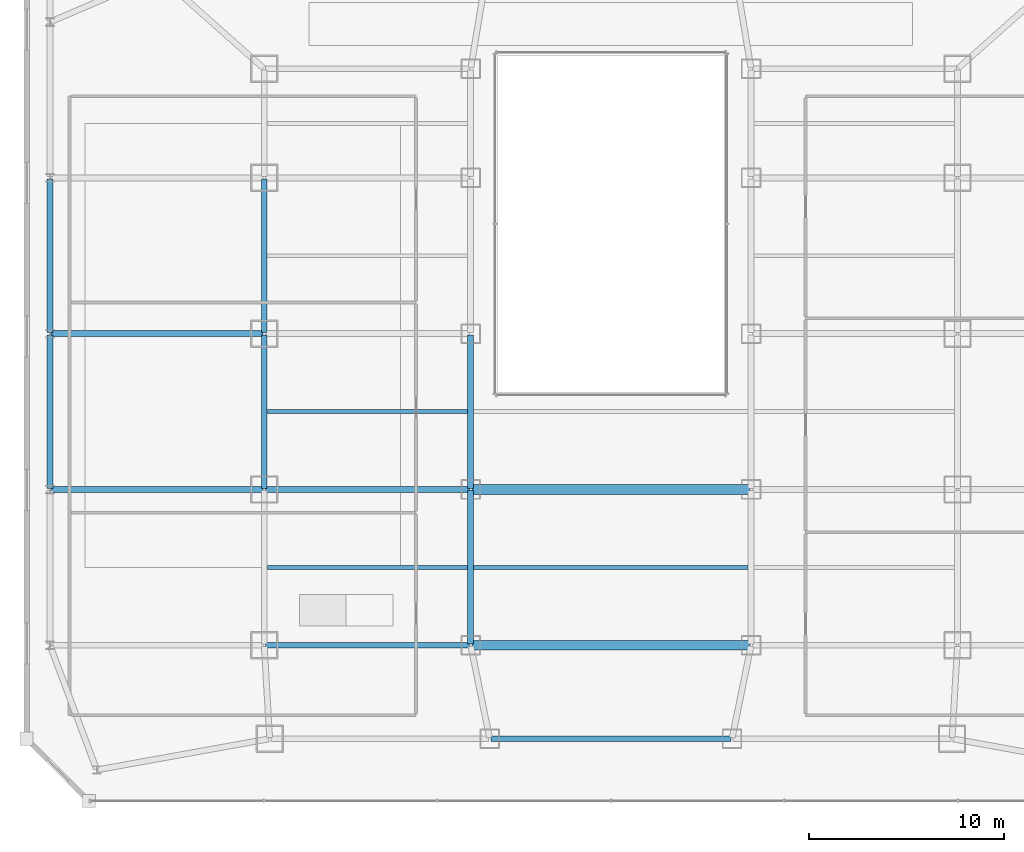
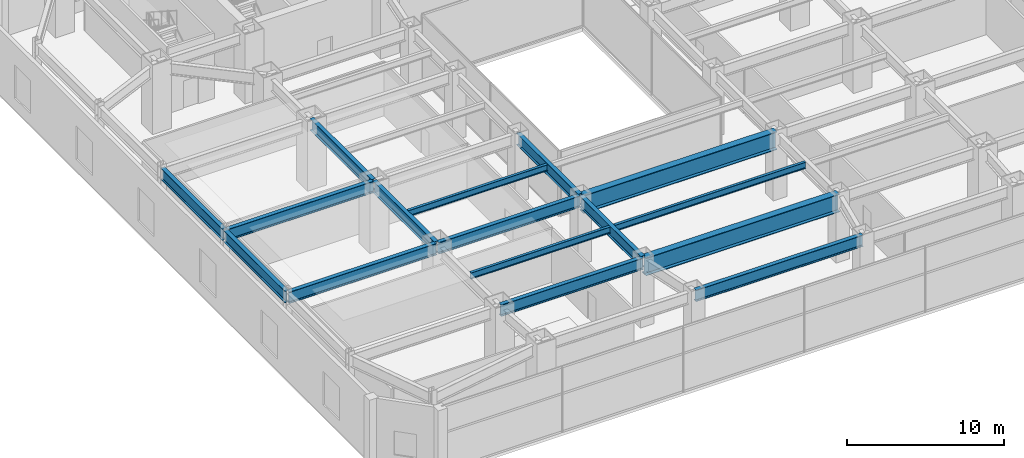
# One storey, part 11 of 52: 16 beams.
"""IFC4 building model written with IfcOpenShell, lengths in metres."""

from ifc_helpers import new_model, si_unit, direction, frame, origin, origin_2d, place, context, subcontext, project, spatial, i_section, extrude, material, material_profile, profile_set, type_object, element, save


model = new_model("IFC4")

# Units and contexts
model_context = context("Model", 3, precision=1e-05, world=origin(), true_north=direction((0.0, 1.0)))
body_context = subcontext(model_context, "Body", "Model", "MODEL_VIEW")
ifc_project = project(units=[si_unit("LENGTHUNIT", "METRE"), si_unit("AREAUNIT", "SQUARE_METRE"), si_unit("VOLUMEUNIT", "CUBIC_METRE"), si_unit("PLANEANGLEUNIT", "RADIAN"), si_unit("MASSUNIT", "GRAM", prefix="KILO")], contexts=[model_context])

# Site, building, storey
site_placement = place(None, origin())
site = spatial("IfcSite", under=ifc_project, at=site_placement, CompositionType="ELEMENT")
building_placement = place(site_placement, origin())
building = spatial("IfcBuilding", under=site, at=building_placement, Name="Saevonmaru Cultural Tower", CompositionType="ELEMENT")
storey_placement = place(building_placement, frame((0.0, 0.0, 16.800048828125)))
storey = spatial("IfcBuildingStorey", under=building, at=storey_placement, Name="L03", CompositionType="ELEMENT", Elevation=16.800048828125)

# Beams
ifc_material_1 = material(Name="Steel SM420", Category="steel")
ifc_material_profile_1 = material_profile(ifc_material_1, i_section(OverallWidth=0.300048828125, OverallDepth=0.89990234375, WebThickness=0.01611328125, FlangeThickness=0.028076171875, FilletRadius=0.028076171875, at=origin_2d()), Name="H-900x300x16x28")
ifc_profile_set_1 = profile_set([ifc_material_profile_1], Name="Steel SM420")
beam_type_1 = type_object("IfcBeamType", Name="BM-G-H900", PredefinedType="BEAM", material=ifc_profile_set_1)
for number, where, z_axis, x_axis, name in (
    (1, (12.199951171875, 16.06005859375, 4.64990234375), (0.0, 1.0, 0.0), (-1.0, 0.0, 0.0), "L03 Podium Girder NS1-3"),
    (2, (12.199951171875, 24.06005859375, 4.64990234375), (0.0, 1.0, 0.0), (-1.0, 0.0, 0.0), "L03 Podium Girder NS1-4"),
    (3, (22.800048828125, 8.06005859375, 4.64990234375), (0.0, 1.0, 0.0), (-1.0, 0.0, 0.0), "L03 Podium Girder NS2-2"),
    (4, (22.800048828125, 16.06005859375, 4.64990234375), (0.0, 1.0, 0.0), (-1.0, 0.0, 0.0), "L03 Podium Girder NS2-3"),
):
    element("IfcBeam", number, at=place(storey_placement, frame(where, z_axis=z_axis, x_axis=x_axis)), inside=storey, type_object=beam_type_1, Name=name, PredefinedType="BEAM", context=body_context, shape_type="SweptSolid", body=[
        extrude(i_section(OverallWidth=0.300048828125, OverallDepth=0.89990234375, WebThickness=0.01611328125, FlangeThickness=0.028076171875, FilletRadius=0.028076171875, at=origin_2d()), origin(), (0.0, 0.0, 1.0), 7.8798828125),
    ])
beam_1_placement = place(storey_placement, frame((23.840087890625, 3.199951171875, 4.64990234375), z_axis=(1.0, 0.0, 0.0), x_axis=(0.0, 1.0, 0.0)))
element("IfcBeam", 5, at=beam_1_placement, inside=storey, type_object=beam_type_1, Name="BM-POD-EW-C-0-L03", PredefinedType="BEAM", context=body_context, shape_type="SweptSolid", body=[
    extrude(i_section(OverallWidth=0.300048828125, OverallDepth=0.89990234375, WebThickness=0.01611328125, FlangeThickness=0.028076171875, FilletRadius=0.028076171875, at=origin_2d()), origin(), (0.0, 0.0, 1.0), 12.31982421875),
])
for number, where, z_axis, x_axis, name in (
    (6, (12.260009765625, 8.0, 4.64990234375), (1.0, 0.0, 0.0), (0.0, 1.0, 0.0), "L03 Gallery Girder W-1"),
    (7, (12.260009765625, 16.0, 4.64990234375), (1.0, 0.0, 0.0), (0.0, 1.0, 0.0), "L03 Gallery Girder W-2"),
):
    element("IfcBeam", number, at=place(storey_placement, frame(where, z_axis=z_axis, x_axis=x_axis)), inside=storey, type_object=beam_type_1, Name=name, PredefinedType="BEAM", context=body_context, shape_type="SweptSolid", body=[
        extrude(i_section(OverallWidth=0.300048828125, OverallDepth=0.89990234375, WebThickness=0.01611328125, FlangeThickness=0.028076171875, FilletRadius=0.028076171875, at=origin_2d()), origin(), (0.0, 0.0, 1.0), 10.47998046875),
    ])
for number, where, z_axis, x_axis, name in (
    (8, (1.260009765625, 16.0, 4.64990234375), (1.0, 0.0, 0.0), (0.0, 1.0, 0.0), "BM-POD-OW-2-L03"),
    (9, (1.260009765625, 24.0, 4.64990234375), (1.0, 0.0, 0.0), (0.0, 1.0, 0.0), "BM-POD-OW-3-L03"),
):
    element("IfcBeam", number, at=place(storey_placement, frame(where, z_axis=z_axis, x_axis=x_axis)), inside=storey, type_object=beam_type_1, Name=name, PredefinedType="BEAM", context=body_context, shape_type="SweptSolid", body=[
        extrude(i_section(OverallWidth=0.300048828125, OverallDepth=0.89990234375, WebThickness=0.01611328125, FlangeThickness=0.028076171875, FilletRadius=0.028076171875, at=origin_2d()), origin(), (0.0, 0.0, 1.0), 10.8798828125),
    ])
for number, where, z_axis, x_axis, name in (
    (10, (1.199951171875, 16.06005859375, 4.64990234375), (0.0, 1.0, 0.0), (-1.0, 0.0, 0.0), "BM-POD-PW-2-L03"),
    (11, (1.199951171875, 24.06005859375, 4.64990234375), (0.0, 1.0, 0.0), (-1.0, 0.0, 0.0), "BM-POD-PW-3-L03"),
):
    element("IfcBeam", number, at=place(storey_placement, frame(where, z_axis=z_axis, x_axis=x_axis)), inside=storey, type_object=beam_type_1, Name=name, PredefinedType="BEAM", context=body_context, shape_type="SweptSolid", body=[
        extrude(i_section(OverallWidth=0.300048828125, OverallDepth=0.89990234375, WebThickness=0.01611328125, FlangeThickness=0.028076171875, FilletRadius=0.028076171875, at=origin_2d()), origin(), (0.0, 0.0, 1.0), 7.8798828125),
    ])
ifc_material_2 = material(Name="Steel SM355", Category="steel")
ifc_material_profile_2 = material_profile(ifc_material_2, i_section(OverallWidth=0.199951171875, OverallDepth=0.5, WebThickness=0.010009765625, FlangeThickness=0.01611328125, FilletRadius=0.02001953125, at=origin_2d()), Name="H-500x200x10x16")
ifc_profile_set_2 = profile_set([ifc_material_profile_2], Name="Steel SM355")
beam_type_2 = type_object("IfcBeamType", Name="BM-J-H500", PredefinedType="JOIST", material=ifc_profile_set_2)
beam_2_placement = place(storey_placement, frame((12.35791015625, 12.0, 4.849853515625), z_axis=(1.0, 0.0, 0.0), x_axis=(0.0, 1.0, 0.0)))
element("IfcBeam", 12, at=beam_2_placement, inside=storey, type_object=beam_type_2, Name="L03 Secondary Floor Joist JW-1", PredefinedType="JOIST", context=body_context, shape_type="SweptSolid", body=[
    extrude(i_section(OverallWidth=0.199951171875, OverallDepth=0.5, WebThickness=0.010009765625, FlangeThickness=0.01611328125, FilletRadius=0.02001953125, at=origin_2d()), origin(), (0.0, 0.0, 1.0), 10.2841796875),
])
beam_3_placement = place(storey_placement, frame((22.9580078125, 12.0, 4.849853515625), z_axis=(1.0, 0.0, 0.0), x_axis=(0.0, 1.0, 0.0)))
element("IfcBeam", 13, at=beam_3_placement, inside=storey, type_object=beam_type_2, Name="L03 Secondary Floor Joist JC-1", PredefinedType="JOIST", context=body_context, shape_type="SweptSolid", body=[
    extrude(i_section(OverallWidth=0.199951171875, OverallDepth=0.5, WebThickness=0.010009765625, FlangeThickness=0.01611328125, FilletRadius=0.02001953125, at=origin_2d()), origin(), (0.0, 0.0, 1.0), 14.083984375),
])
beam_4_placement = place(storey_placement, frame((12.35791015625, 20.0, 4.849853515625), z_axis=(1.0, 0.0, 0.0), x_axis=(0.0, 1.0, 0.0)))
element("IfcBeam", 14, at=beam_4_placement, inside=storey, type_object=beam_type_2, Name="L03 Secondary Floor Joist JW-2", PredefinedType="JOIST", context=body_context, shape_type="SweptSolid", body=[
    extrude(i_section(OverallWidth=0.199951171875, OverallDepth=0.5, WebThickness=0.010009765625, FlangeThickness=0.01611328125, FilletRadius=0.02001953125, at=origin_2d()), origin(), (0.0, 0.0, 1.0), 10.2841796875),
])
ifc_material_3 = material(Name="Steel HSA600 (600 MPa)", Category="steel")
ifc_material_profile_3 = material_profile(ifc_material_3, i_section(OverallWidth=0.5, OverallDepth=1.39990234375, WebThickness=0.02392578125, FlangeThickness=0.044921875, at=origin_2d()), Name="PG-1400x500x24x45")
ifc_profile_set_3 = profile_set([ifc_material_profile_3], Name="Steel HSA600 (600 MPa)")
beam_type_3 = type_object("IfcBeamType", Name="BM-TG-PG1400", PredefinedType="BEAM", material=ifc_profile_set_3)
for number, where, z_axis, x_axis, name in (
    (15, (22.860107421875, 8.0, 4.39990234375), (1.0, 0.0, 0.0), (0.0, 1.0, 0.0), "L03 Long-Span Hall Girder C-1"),
    (16, (22.860107421875, 16.0, 4.39990234375), (1.0, 0.0, 0.0), (0.0, 1.0, 0.0), "L03 Long-Span Hall Girder C-2"),
):
    element("IfcBeam", number, at=place(storey_placement, frame(where, z_axis=z_axis, x_axis=x_axis)), inside=storey, type_object=beam_type_3, Name=name, PredefinedType="BEAM", context=body_context, shape_type="SweptSolid", body=[
        extrude(i_section(OverallWidth=0.5, OverallDepth=1.39990234375, WebThickness=0.02392578125, FlangeThickness=0.044921875, at=origin_2d()), origin(), (0.0, 0.0, 1.0), 14.27978515625),
    ])

save(model, "model.ifc")
